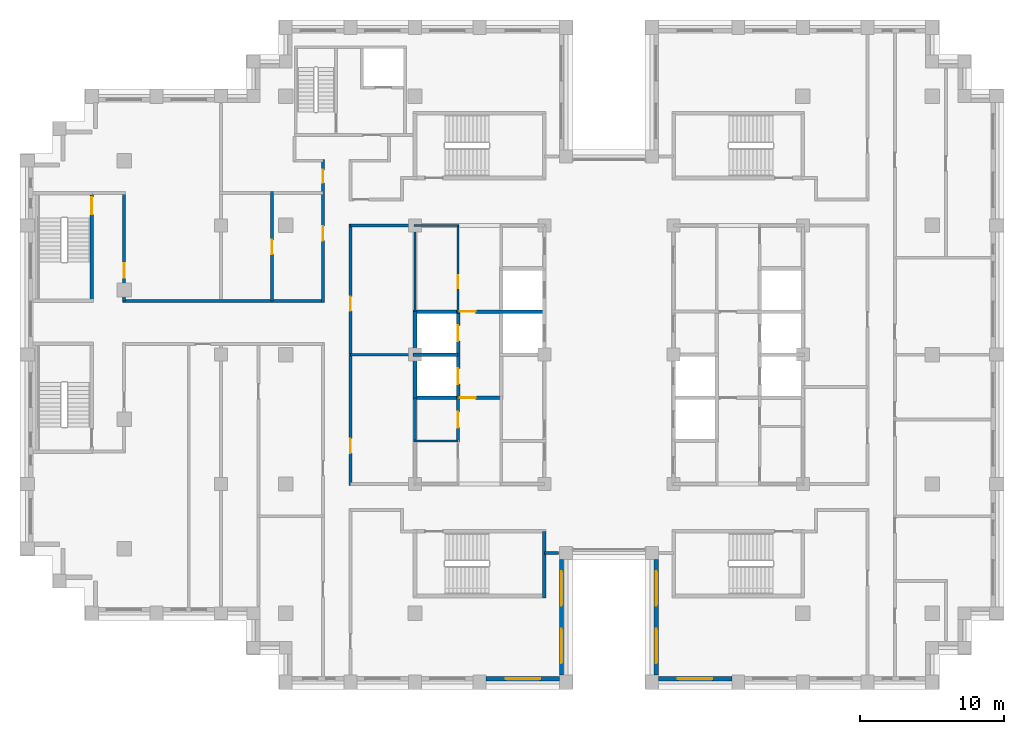
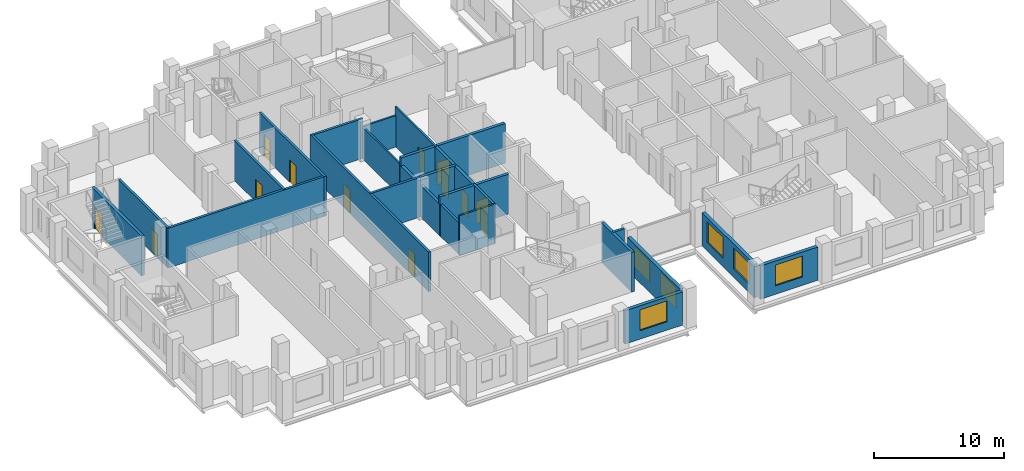
# One storey, part 7 of 15: 25 walls, 13 doors, 6 windows, 19 openings.
"""IFC4 building model written with IfcOpenShell, lengths in metres."""

import ifcopenshell
import ifcopenshell.guid

model = None  # the IFC model being written
_history = None  # IfcOwnerHistory: only IFC2X3 demands one
_inside = {}  # id of a spatial element -> (the spatial element, [elements in it])
_under = {}  # id of a project, library or spatial element -> (it, [spatial elements below it])
_declared = {}  # id of a project -> (the project, [libraries it declares])
_typed = {}  # id of a type object -> (the type object, [elements of that type])
_made_of = {}  # id of a material, layer set ... -> (it, [elements and type objects made of it])


def new_model(schema):
    """Start an empty IFC model of exactly this schema.

    Asked for "IFC4X3", IfcOpenShell would pick the latest addendum, in which some entities
    have other attributes; the version numbers below select the first issue.
    IFC2X3 requires an IfcOwnerHistory on every rooted entity: one is made here for all.
    """
    global model, _history
    if schema == "IFC4X3":
        model = ifcopenshell.file(schema_version=(4, 3, 0, 0))
    else:
        model = ifcopenshell.file(schema=schema)
    _inside.clear()
    _under.clear()
    _declared.clear()
    _typed.clear()
    _made_of.clear()
    _history = None
    if model.schema == "IFC2X3":
        org = make("IfcOrganization", Name="unknown")
        user = make(
            "IfcPersonAndOrganization",
            ThePerson=make("IfcPerson", FamilyName="unknown"),
            TheOrganization=org,
        )
        app = make(
            "IfcApplication",
            ApplicationDeveloper=org,
            Version="unknown",
            ApplicationFullName="unknown",
            ApplicationIdentifier="unknown",
        )
        _history = make(
            "IfcOwnerHistory",
            OwningUser=user,
            OwningApplication=app,
            ChangeAction="ADDED",
            CreationDate=0,
        )
    return model


def make(cls, **values):
    """One entity of the class cls with the attributes given. An attribute that is None is left unset."""
    return model.create_entity(
        cls, **{name: value for name, value in values.items() if value is not None}
    )


def rooted(cls, **values):
    """An entity with a GlobalId (a new one), such as an element, a storey or a relation."""
    return make(cls, GlobalId=ifcopenshell.guid.new(), OwnerHistory=_history, **values)


def si_unit(unit_type, name, prefix=None):
    """IfcSIUnit, for example si_unit("LENGTHUNIT", "METRE", prefix="MILLI")."""
    return make("IfcSIUnit", UnitType=unit_type, Prefix=prefix, Name=name)


def assignment(units):
    """IfcUnitAssignment: the units of a project."""
    return None if units is None else make("IfcUnitAssignment", Units=units)


def point(xyz):
    """IfcCartesianPoint."""
    return None if xyz is None else make("IfcCartesianPoint", Coordinates=xyz)


def direction(xyz):
    """IfcDirection."""
    return None if xyz is None else make("IfcDirection", DirectionRatios=xyz)


def frame(location, z_axis=None, x_axis=None):
    """IfcAxis2Placement3D, a coordinate frame: its origin and axes. An axis left out is left unset."""
    return make(
        "IfcAxis2Placement3D",
        Location=point(location),
        Axis=direction(z_axis),
        RefDirection=direction(x_axis),
    )


def frame_2d(location, x_axis=None):
    """IfcAxis2Placement2D, a coordinate frame in the plane: its origin and x axis."""
    return make(
        "IfcAxis2Placement2D", Location=point(location), RefDirection=direction(x_axis)
    )


def origin():
    """The frame at (0, 0, 0) with its axes left unset."""
    return frame((0.0, 0.0, 0.0))


def place(relative_to, where):
    """IfcLocalPlacement: puts the frame where relative to a parent placement (None: the world)."""
    return make(
        "IfcLocalPlacement", PlacementRelTo=relative_to, RelativePlacement=where
    )


def context(
    kind, dimensions, precision=None, world=None, true_north=None, identifier=None
):
    """IfcGeometricRepresentationContext, for example the 3D "Model" context."""
    return make(
        "IfcGeometricRepresentationContext",
        ContextIdentifier=identifier,
        ContextType=kind,
        CoordinateSpaceDimension=dimensions,
        Precision=precision,
        WorldCoordinateSystem=world,
        TrueNorth=true_north,
    )


def subcontext(parent, identifier, kind, view, scale=None):
    """IfcGeometricRepresentationSubContext, for example "Body" below "Model"."""
    return make(
        "IfcGeometricRepresentationSubContext",
        ContextIdentifier=identifier,
        ContextType=kind,
        ParentContext=parent,
        TargetScale=scale,
        TargetView=view,
    )


def project(units=None, contexts=None):
    """IfcProject with its units and contexts."""
    return rooted(
        "IfcProject",
        Name="project",
        RepresentationContexts=contexts,
        UnitsInContext=assignment(units),
    )


def spatial(cls, under=None, at=None, **own):
    """A site, building, storey or space (cls), placed at a placement, below another one or the project."""
    s = rooted(cls, ObjectPlacement=at, **own)
    if under is not None:
        _under.setdefault(under.id(), (under, []))[1].append(s)
    return s


def profile(cls, at=None, kind="AREA", **sizes):
    """A parametric profile (cls). Its sizes go by their IFC names, for example OverallWidth=200.0."""
    return make(cls, ProfileType=kind, Position=at, **sizes)


def rectangle(**sizes):
    """IfcRectangleProfileDef."""
    return profile("IfcRectangleProfileDef", **sizes)


def extrude(swept, where, along, depth):
    """IfcExtrudedAreaSolid: the profile swept, set in the frame where, extruded along a direction by depth."""
    return make(
        "IfcExtrudedAreaSolid",
        SweptArea=swept,
        Position=where,
        ExtrudedDirection=direction(along),
        Depth=depth,
    )


def shape(context_of_items, identifier, shape_type, items):
    """IfcShapeRepresentation: the items that make up one representation, for example the "Body"."""
    return make(
        "IfcShapeRepresentation",
        ContextOfItems=context_of_items,
        RepresentationIdentifier=identifier,
        RepresentationType=shape_type,
        Items=items,
    )


def material(Name=None, Category=None):
    """IfcMaterial."""
    return make("IfcMaterial", Name=Name, Category=Category)


def layer(
    of_material, thickness, ventilated=None, Name=None, Category=None, Priority=None
):
    """IfcMaterialLayer: one layer of a wall or slab, of a material (None: an air gap)."""
    return make(
        "IfcMaterialLayer",
        Material=of_material,
        LayerThickness=thickness,
        IsVentilated=ventilated,
        Name=Name,
        Category=Category,
        Priority=Priority,
    )


def layer_set(layers, Name=None):
    """IfcMaterialLayerSet."""
    return make("IfcMaterialLayerSet", MaterialLayers=layers, LayerSetName=Name)


def made_of(thing, what):
    """Note that an element or type object is made of a material, layer set ...; save() writes the relation."""
    if what is not None:
        _made_of.setdefault(what.id(), (what, []))[1].append(thing)
    return thing


def type_object(cls, material=None, **own):
    """A type object (cls), such as IfcWallType, which elements share."""
    return made_of(rooted(cls, **own), material)


def element(
    cls,
    number,
    at=None,
    inside=None,
    cuts=None,
    type_object=None,
    material=None,
    context=None,
    identifier="Body",
    shape_type=None,
    held_by="IfcProductDefinitionShape",
    body=None,
    shapes=None,
    **own,
):
    """One element of the class cls, such as IfcWall. Its Tag is "e" and its number.

    at: its placement. inside: the storey or other place that contains it. cuts: it is an
    opening in that element (IfcRelVoidsElement). A single representation is given by context,
    identifier, shape_type and body (its items); several are given by shapes. held_by: the class
    of the entity that holds the representations. save() writes the other relations.
    """
    e = rooted(cls, Tag="e%d" % number, ObjectPlacement=at, **own)
    if body is not None:
        shapes = [shape(context, identifier, shape_type, body)]
    if shapes is not None:
        e.Representation = make(held_by, Representations=shapes)
    if inside is not None:
        _inside.setdefault(inside.id(), (inside, []))[1].append(e)
    if cuts is not None:
        rooted(
            "IfcRelVoidsElement", RelatingBuildingElement=cuts, RelatedOpeningElement=e
        )
    if type_object is not None:
        _typed.setdefault(type_object.id(), (type_object, []))[1].append(e)
    return made_of(e, material)


def fill(opening, filler):
    """IfcRelFillsElement: the door or window that sits in an opening."""
    return rooted(
        "IfcRelFillsElement",
        RelatingOpeningElement=opening,
        RelatedBuildingElement=filler,
    )


def aggregate(whole, parts):
    """IfcRelAggregates: a whole, such as a stair, and the parts it consists of."""
    return rooted("IfcRelAggregates", RelatingObject=whole, RelatedObjects=parts)


def save(model, path):
    """Write the relations noted so far, then the file.

    IfcRelAggregates (storeys below a building ...), IfcRelContainedInSpatialStructure (elements
    in a storey), IfcRelDefinesByType, IfcRelAssociatesMaterial and IfcRelDeclares: one each for
    every whole, place, type object, material and project.
    """
    for whole, parts in _under.values():
        aggregate(whole, parts)
    for where, things in _inside.values():
        rooted(
            "IfcRelContainedInSpatialStructure",
            RelatedElements=things,
            RelatingStructure=where,
        )
    for kind, things in _typed.values():
        rooted("IfcRelDefinesByType", RelatedObjects=things, RelatingType=kind)
    for what, things in _made_of.values():
        rooted("IfcRelAssociatesMaterial", RelatedObjects=things, RelatingMaterial=what)
    for by, libraries in _declared.values():
        rooted("IfcRelDeclares", RelatingContext=by, RelatedDefinitions=libraries)
    model.write(path)


model = new_model("IFC4")

# Units and contexts
model_context = context("Model", 3, precision=1e-05, world=origin(), true_north=direction((0.0, 1.0)))
body_context = subcontext(model_context, "Body", "Model", "MODEL_VIEW")
ifc_project = project(units=[si_unit("LENGTHUNIT", "METRE"), si_unit("AREAUNIT", "SQUARE_METRE"), si_unit("VOLUMEUNIT", "CUBIC_METRE"), si_unit("PLANEANGLEUNIT", "RADIAN"), si_unit("MASSUNIT", "GRAM", prefix="KILO")], contexts=[model_context])

# Site, building, storey
site_placement = place(None, origin())
site = spatial("IfcSite", under=ifc_project, at=site_placement, CompositionType="ELEMENT")
building_placement = place(site_placement, origin())
building = spatial("IfcBuilding", under=site, at=building_placement, Name="Corbelhall Arena Tower", CompositionType="ELEMENT")
storey_placement = place(building_placement, frame((0.0, 0.0, 200.0)))
storey = spatial("IfcBuildingStorey", under=building, at=storey_placement, Name="L41", CompositionType="ELEMENT", Elevation=200.0)

# Wall, opening, window
ifc_material_1 = material(Name="Precast concrete C40/50 with granite facing", Category="masonry")
ifc_layer_1 = layer(ifc_material_1, 0.300048828125)
ifc_layer_set_1 = layer_set([ifc_layer_1], Name="EV-IW1 Infill panel 300")
wall_type_1 = type_object("IfcWallType", Name="EV-IW1 Infill panel 300", PredefinedType="SOLIDWALL", material=ifc_layer_set_1)
wall_1_placement = place(storey_placement, frame((-8.550048828125, -22.550048828125, 0.0), z_axis=(0.0, 0.0, 1.0), x_axis=(1.0, 0.0, 0.0)))
wall_1 = element("IfcWall", 1, at=wall_1_placement, inside=storey, type_object=wall_type_1, Name="Infill panel IW1", PredefinedType="SOLIDWALL", context=body_context, shape_type="SweptSolid", body=[
    extrude(rectangle(XDim=5.10009765625, YDim=0.300048828125, at=frame_2d((2.550048828125, 0.0))), origin(), (0.0, 0.0, 1.0), 3.1201171875),
])
opening_1_placement = place(wall_1_placement, frame((1.35009765625, 0.0, 0.800048828125)))
opening_1 = element("IfcOpeningElement", 2, at=opening_1_placement, cuts=wall_1, Name="Opening WN1", PredefinedType="OPENING", context=body_context, shape_type="SweptSolid", body=[
    extrude(rectangle(XDim=2.39990234375, YDim=1.949951171875, at=frame_2d((1.199951171875, 0.97509765625))), frame((0.0, 0.14990234375, 0.0), z_axis=(0.0, -1.0, 0.0), x_axis=(1.0, 0.0, 0.0)), (0.0, 0.0, 1.0), 0.300048828125),
])
ifc_material_2 = material(Name="Aluminium black anodised", Category="aluminium")
window_type = type_object("IfcWindowType", Name="EV-WN1 Office window", PartitioningType="SINGLE_PANEL", PredefinedType="WINDOW", material=ifc_material_2)
window_1_placement = place(opening_1_placement, origin())
window_1 = element("IfcWindow", 3, at=window_1_placement, inside=storey, type_object=window_type, Name="Window WN1", OverallHeight=1.949951171875, OverallWidth=2.39990234375, PartitioningType="SINGLE_PANEL", PredefinedType="WINDOW", context=body_context, shape_type="SweptSolid", body=[
    extrude(rectangle(XDim=2.39990234375, YDim=1.949951171875, at=frame_2d((1.199951171875, 0.97509765625))), frame((0.0, 0.030029296875, 0.0), z_axis=(0.0, -1.0, 0.0), x_axis=(1.0, 0.0, 0.0)), (0.0, 0.0, 1.0), 0.06005859375),
])
fill(opening_1, window_1)

# Wall, openings, windows
wall_2_placement = place(storey_placement, frame((-3.300048828125, -22.300048828125, 0.0), z_axis=(0.0, 0.0, 1.0), x_axis=(0.0, 1.0, 0.0)))
wall_2 = element("IfcWall", 4, at=wall_2_placement, inside=storey, type_object=wall_type_1, Name="Infill panel IW1", PredefinedType="SOLIDWALL", context=body_context, shape_type="SweptSolid", body=[
    extrude(rectangle(XDim=8.050048828125, YDim=0.300048828125, at=frame_2d((4.02490234375, 0.0))), origin(), (0.0, 0.0, 1.0), 3.1201171875),
])
opening_2_placement = place(wall_2_placement, frame((0.8125, 0.0, 0.800048828125)))
opening_2 = element("IfcOpeningElement", 5, at=opening_2_placement, cuts=wall_2, Name="Opening WN1", PredefinedType="OPENING", context=body_context, shape_type="SweptSolid", body=[
    extrude(rectangle(XDim=2.39990234375, YDim=1.949951171875, at=frame_2d((1.199951171875, 0.97509765625))), frame((0.0, 0.14990234375, 0.0), z_axis=(0.0, -1.0, 0.0), x_axis=(1.0, 0.0, 0.0)), (0.0, 0.0, 1.0), 0.300048828125),
])
opening_3_placement = place(wall_2_placement, frame((4.83740234375, 0.0, 0.800048828125)))
opening_3 = element("IfcOpeningElement", 6, at=opening_3_placement, cuts=wall_2, Name="Opening WN1", PredefinedType="OPENING", context=body_context, shape_type="SweptSolid", body=[
    extrude(rectangle(XDim=2.39990234375, YDim=1.949951171875, at=frame_2d((1.199951171875, 0.97509765625))), frame((0.0, 0.14990234375, 0.0), z_axis=(0.0, -1.0, 0.0), x_axis=(1.0, 0.0, 0.0)), (0.0, 0.0, 1.0), 0.300048828125),
])
window_2_placement = place(opening_2_placement, origin())
window_2 = element("IfcWindow", 7, at=window_2_placement, inside=storey, type_object=window_type, Name="Window WN1", OverallHeight=1.949951171875, OverallWidth=2.39990234375, PartitioningType="SINGLE_PANEL", PredefinedType="WINDOW", context=body_context, shape_type="SweptSolid", body=[
    extrude(rectangle(XDim=2.39990234375, YDim=1.949951171875, at=frame_2d((1.199951171875, 0.97509765625))), frame((0.0, 0.030029296875, 0.0), z_axis=(0.0, -1.0, 0.0), x_axis=(1.0, 0.0, 0.0)), (0.0, 0.0, 1.0), 0.06005859375),
])
fill(opening_2, window_2)
window_3_placement = place(opening_3_placement, origin())
window_3 = element("IfcWindow", 8, at=window_3_placement, inside=storey, type_object=window_type, Name="Window WN1", OverallHeight=1.949951171875, OverallWidth=2.39990234375, PartitioningType="SINGLE_PANEL", PredefinedType="WINDOW", context=body_context, shape_type="SweptSolid", body=[
    extrude(rectangle(XDim=2.39990234375, YDim=1.949951171875, at=frame_2d((1.199951171875, 0.97509765625))), frame((0.0, 0.030029296875, 0.0), z_axis=(0.0, -1.0, 0.0), x_axis=(1.0, 0.0, 0.0)), (0.0, 0.0, 1.0), 0.06005859375),
])
fill(opening_3, window_3)

wall_3_placement = place(storey_placement, frame((3.300048828125, -14.25, 0.0), z_axis=(0.0, 0.0, 1.0), x_axis=(0.0, -1.0, 0.0)))
wall_3 = element("IfcWall", 9, at=wall_3_placement, inside=storey, type_object=wall_type_1, Name="Infill panel IW1", PredefinedType="SOLIDWALL", context=body_context, shape_type="SweptSolid", body=[
    extrude(rectangle(XDim=8.050048828125, YDim=0.300048828125, at=frame_2d((4.02490234375, 0.0))), origin(), (0.0, 0.0, 1.0), 3.1201171875),
])
opening_4_placement = place(wall_3_placement, frame((0.8125, 0.0, 0.800048828125)))
opening_4 = element("IfcOpeningElement", 10, at=opening_4_placement, cuts=wall_3, Name="Opening WN1", PredefinedType="OPENING", context=body_context, shape_type="SweptSolid", body=[
    extrude(rectangle(XDim=2.39990234375, YDim=1.949951171875, at=frame_2d((1.199951171875, 0.97509765625))), frame((0.0, 0.14990234375, 0.0), z_axis=(0.0, -1.0, 0.0), x_axis=(1.0, 0.0, 0.0)), (0.0, 0.0, 1.0), 0.300048828125),
])
opening_5_placement = place(wall_3_placement, frame((4.83740234375, 0.0, 0.800048828125)))
opening_5 = element("IfcOpeningElement", 11, at=opening_5_placement, cuts=wall_3, Name="Opening WN1", PredefinedType="OPENING", context=body_context, shape_type="SweptSolid", body=[
    extrude(rectangle(XDim=2.39990234375, YDim=1.949951171875, at=frame_2d((1.199951171875, 0.97509765625))), frame((0.0, 0.14990234375, 0.0), z_axis=(0.0, -1.0, 0.0), x_axis=(1.0, 0.0, 0.0)), (0.0, 0.0, 1.0), 0.300048828125),
])
window_4_placement = place(opening_4_placement, origin())
window_4 = element("IfcWindow", 12, at=window_4_placement, inside=storey, type_object=window_type, Name="Window WN1", OverallHeight=1.949951171875, OverallWidth=2.39990234375, PartitioningType="SINGLE_PANEL", PredefinedType="WINDOW", context=body_context, shape_type="SweptSolid", body=[
    extrude(rectangle(XDim=2.39990234375, YDim=1.949951171875, at=frame_2d((1.199951171875, 0.97509765625))), frame((0.0, 0.030029296875, 0.0), z_axis=(0.0, -1.0, 0.0), x_axis=(1.0, 0.0, 0.0)), (0.0, 0.0, 1.0), 0.06005859375),
])
fill(opening_4, window_4)
window_5_placement = place(opening_5_placement, origin())
window_5 = element("IfcWindow", 13, at=window_5_placement, inside=storey, type_object=window_type, Name="Window WN1", OverallHeight=1.949951171875, OverallWidth=2.39990234375, PartitioningType="SINGLE_PANEL", PredefinedType="WINDOW", context=body_context, shape_type="SweptSolid", body=[
    extrude(rectangle(XDim=2.39990234375, YDim=1.949951171875, at=frame_2d((1.199951171875, 0.97509765625))), frame((0.0, 0.030029296875, 0.0), z_axis=(0.0, -1.0, 0.0), x_axis=(1.0, 0.0, 0.0)), (0.0, 0.0, 1.0), 0.06005859375),
])
fill(opening_5, window_5)

# Wall, opening, window
wall_4_placement = place(storey_placement, frame((3.449951171875, -22.550048828125, 0.0), z_axis=(0.0, 0.0, 1.0), x_axis=(1.0, 0.0, 0.0)))
wall_4 = element("IfcWall", 14, at=wall_4_placement, inside=storey, type_object=wall_type_1, Name="Infill panel IW1", PredefinedType="SOLIDWALL", context=body_context, shape_type="SweptSolid", body=[
    extrude(rectangle(XDim=5.10009765625, YDim=0.300048828125, at=frame_2d((2.550048828125, 0.0))), origin(), (0.0, 0.0, 1.0), 3.1201171875),
])
opening_6_placement = place(wall_4_placement, frame((1.35009765625, 0.0, 0.800048828125)))
opening_6 = element("IfcOpeningElement", 15, at=opening_6_placement, cuts=wall_4, Name="Opening WN1", PredefinedType="OPENING", context=body_context, shape_type="SweptSolid", body=[
    extrude(rectangle(XDim=2.39990234375, YDim=1.949951171875, at=frame_2d((1.199951171875, 0.97509765625))), frame((0.0, 0.14990234375, 0.0), z_axis=(0.0, -1.0, 0.0), x_axis=(1.0, 0.0, 0.0)), (0.0, 0.0, 1.0), 0.300048828125),
])
window_6_placement = place(opening_6_placement, origin())
window_6 = element("IfcWindow", 16, at=window_6_placement, inside=storey, type_object=window_type, Name="Window WN1", OverallHeight=1.949951171875, OverallWidth=2.39990234375, PartitioningType="SINGLE_PANEL", PredefinedType="WINDOW", context=body_context, shape_type="SweptSolid", body=[
    extrude(rectangle(XDim=2.39990234375, YDim=1.949951171875, at=frame_2d((1.199951171875, 0.97509765625))), frame((0.0, 0.030029296875, 0.0), z_axis=(0.0, -1.0, 0.0), x_axis=(1.0, 0.0, 0.0)), (0.0, 0.0, 1.0), 0.06005859375),
])
fill(opening_6, window_6)

# Wall
ifc_material_3 = material(Name="Gypsum board on steel stud, acoustic", Category="steel")
ifc_layer_2 = layer(ifc_material_3, 0.199951171875)
ifc_layer_set_2 = layer_set([ifc_layer_2], Name="IN-W-DM200")
wall_type_2 = type_object("IfcWallType", Name="IN-W-DM200", PredefinedType="PARTITIONING", material=ifc_layer_set_2)
wall_5_placement = place(storey_placement, frame((-33.85009765625, 3.75, 0.0), z_axis=(0.0, 0.0, 1.0), x_axis=(1.0, 0.0, 0.0)))
element("IfcWall", 17, at=wall_5_placement, inside=storey, type_object=wall_type_2, Name="Partition 002", PredefinedType="PARTITIONING", context=body_context, shape_type="SweptSolid", body=[
    extrude(rectangle(XDim=13.9501953125, YDim=0.199951171875, at=frame_2d((6.97509765625, 0.0))), origin(), (0.0, 0.0, 1.0), 3.719970703125),
])

# Wall, opening, door
wall_6_placement = place(storey_placement, frame((-33.75, 11.25, 0.0), z_axis=(0.0, 0.0, 1.0), x_axis=(0.0, -1.0, 0.0)))
wall_6 = element("IfcWall", 18, at=wall_6_placement, inside=storey, type_object=wall_type_2, Name="Partition 005", PredefinedType="PARTITIONING", context=body_context, shape_type="SweptSolid", body=[
    extrude(rectangle(XDim=7.5, YDim=0.199951171875, at=frame_2d((3.75, 0.0))), origin(), (0.0, 0.0, 1.0), 3.719970703125),
])
opening_7_placement = place(wall_6_placement, frame((4.89990234375, 0.0, 0.0)))
opening_7 = element("IfcOpeningElement", 19, at=opening_7_placement, cuts=wall_6, Name="Opening 12043", PredefinedType="OPENING", context=body_context, shape_type="SweptSolid", body=[
    extrude(rectangle(XDim=1.0, YDim=2.10009765625, at=frame_2d((0.5, 1.050048828125))), frame((0.0, 0.10009765625, 0.0), z_axis=(0.0, -1.0, 0.0), x_axis=(1.0, 0.0, 0.0)), (0.0, 0.0, 1.0), 0.199951171875),
])
ifc_material_4 = material(Name="Steel door set", Category="steel")
door_type_1 = type_object("IfcDoorType", Name="IN-D-SW100", OperationType="NOTDEFINED", PredefinedType="DOOR", material=ifc_material_4)
door_1_placement = place(opening_7_placement, origin())
door_1 = element("IfcDoor", 20, at=door_1_placement, inside=storey, type_object=door_type_1, Name="Door 043", OperationType="SINGLE_SWING_RIGHT", OverallHeight=2.10009765625, OverallWidth=1.0, PredefinedType="DOOR", context=body_context, shape_type="SweptSolid", body=[
    extrude(rectangle(XDim=1.0, YDim=2.10009765625, at=frame_2d((0.5, 1.050048828125))), frame((0.0, 0.02490234375, 0.0), z_axis=(0.0, -1.0, 0.0), x_axis=(1.0, 0.0, 0.0)), (0.0, 0.0, 1.0), 0.050048828125),
])
fill(opening_7, door_1)

wall_7_placement = place(storey_placement, frame((-23.449951171875, 3.75, 0.0), z_axis=(0.0, 0.0, 1.0), x_axis=(0.0, 1.0, 0.0)))
wall_7 = element("IfcWall", 21, at=wall_7_placement, inside=storey, type_object=wall_type_2, Name="Partition 013", PredefinedType="PARTITIONING", context=body_context, shape_type="SweptSolid", body=[
    extrude(rectangle(XDim=7.60009765625, YDim=0.199951171875, at=frame_2d((3.800048828125, 0.0))), origin(), (0.0, 0.0, 1.0), 3.719970703125),
])
opening_8_placement = place(wall_7_placement, frame((3.25, 0.0, 0.0)))
opening_8 = element("IfcOpeningElement", 22, at=opening_8_placement, cuts=wall_7, Name="Opening 12032", PredefinedType="OPENING", context=body_context, shape_type="SweptSolid", body=[
    extrude(rectangle(XDim=1.0, YDim=2.10009765625, at=frame_2d((0.5, 1.050048828125))), frame((0.0, 0.10009765625, 0.0), z_axis=(0.0, -1.0, 0.0), x_axis=(1.0, 0.0, 0.0)), (0.0, 0.0, 1.0), 0.199951171875),
])
door_2_placement = place(opening_8_placement, origin())
door_2 = element("IfcDoor", 23, at=door_2_placement, inside=storey, type_object=door_type_1, Name="Door 032", OperationType="SINGLE_SWING_LEFT", OverallHeight=2.10009765625, OverallWidth=1.0, PredefinedType="DOOR", context=body_context, shape_type="SweptSolid", body=[
    extrude(rectangle(XDim=1.0, YDim=2.10009765625, at=frame_2d((0.5, 1.050048828125))), frame((0.0, 0.02490234375, 0.0), z_axis=(0.0, -1.0, 0.0), x_axis=(1.0, 0.0, 0.0)), (0.0, 0.0, 1.0), 0.050048828125),
])
fill(opening_8, door_2)

# Wall, openings, doors
wall_8_placement = place(storey_placement, frame((-19.89990234375, 3.64990234375, 0.0), z_axis=(0.0, 0.0, 1.0), x_axis=(0.0, 1.0, 0.0)))
wall_8 = element("IfcWall", 24, at=wall_8_placement, inside=storey, type_object=wall_type_2, Name="Partition 016", PredefinedType="PARTITIONING", context=body_context, shape_type="SweptSolid", body=[
    extrude(rectangle(XDim=9.9501953125, YDim=0.199951171875, at=frame_2d((4.97509765625, 0.0))), origin(), (0.0, 0.0, 1.0), 3.719970703125),
])
opening_9_placement = place(wall_8_placement, frame((4.300048828125, 0.0, 0.0)))
opening_9 = element("IfcOpeningElement", 25, at=opening_9_placement, cuts=wall_8, Name="Opening 12031", PredefinedType="OPENING", context=body_context, shape_type="SweptSolid", body=[
    extrude(rectangle(XDim=1.0, YDim=2.10009765625, at=frame_2d((0.5, 1.050048828125))), frame((0.0, 0.10009765625, 0.0), z_axis=(0.0, -1.0, 0.0), x_axis=(1.0, 0.0, 0.0)), (0.0, 0.0, 1.0), 0.199951171875),
])
opening_10_placement = place(wall_8_placement, frame((8.320068359375, 0.0, 0.0)))
opening_10 = element("IfcOpeningElement", 26, at=opening_10_placement, cuts=wall_8, Name="Opening 12046", PredefinedType="OPENING", context=body_context, shape_type="SweptSolid", body=[
    extrude(rectangle(XDim=0.89990234375, YDim=2.10009765625, at=frame_2d((0.449951171875, 1.050048828125))), frame((0.0, 0.10009765625, 0.0), z_axis=(0.0, -1.0, 0.0), x_axis=(1.0, 0.0, 0.0)), (0.0, 0.0, 1.0), 0.199951171875),
])
door_3_placement = place(opening_9_placement, origin())
door_3 = element("IfcDoor", 27, at=door_3_placement, inside=storey, type_object=door_type_1, Name="Door 031", OperationType="SINGLE_SWING_RIGHT", OverallHeight=2.10009765625, OverallWidth=1.0, PredefinedType="DOOR", context=body_context, shape_type="SweptSolid", body=[
    extrude(rectangle(XDim=1.0, YDim=2.10009765625, at=frame_2d((0.5, 1.050048828125))), frame((0.0, 0.02490234375, 0.0), z_axis=(0.0, -1.0, 0.0), x_axis=(1.0, 0.0, 0.0)), (0.0, 0.0, 1.0), 0.050048828125),
])
fill(opening_9, door_3)
ifc_material_5 = material(Name="Timber door set", Category="wood")
door_type_2 = type_object("IfcDoorType", Name="IN-D-SW90", OperationType="NOTDEFINED", PredefinedType="DOOR", material=ifc_material_5)
door_4_placement = place(opening_10_placement, origin())
door_4 = element("IfcDoor", 28, at=door_4_placement, inside=storey, type_object=door_type_2, Name="Door 046", OperationType="SINGLE_SWING_LEFT", OverallHeight=2.10009765625, OverallWidth=0.89990234375, PredefinedType="DOOR", context=body_context, shape_type="SweptSolid", body=[
    extrude(rectangle(XDim=0.89990234375, YDim=2.10009765625, at=frame_2d((0.449951171875, 1.050048828125))), frame((0.0, 0.02490234375, 0.0), z_axis=(0.0, -1.0, 0.0), x_axis=(1.0, 0.0, 0.0)), (0.0, 0.0, 1.0), 0.050048828125),
])
fill(opening_10, door_4)

# Wall
wall_9_placement = place(storey_placement, frame((-18.0, 0.0, 0.0), z_axis=(0.0, 0.0, 1.0), x_axis=(1.0, 0.0, 0.0)))
element("IfcWall", 29, at=wall_9_placement, inside=storey, type_object=wall_type_2, Name="Partition 020", PredefinedType="PARTITIONING", context=body_context, shape_type="SweptSolid", body=[
    extrude(rectangle(XDim=4.5, YDim=0.199951171875, at=frame_2d((2.25, 0.0))), origin(), (0.0, 0.0, 1.0), 3.719970703125),
])

# Wall, openings, doors
wall_10_placement = place(storey_placement, frame((-18.0, 9.10009765625, 0.0), z_axis=(0.0, 0.0, 1.0), x_axis=(0.0, -1.0, 0.0)))
wall_10 = element("IfcWall", 30, at=wall_10_placement, inside=storey, type_object=wall_type_2, Name="Partition 021", PredefinedType="PARTITIONING", context=body_context, shape_type="SweptSolid", body=[
    extrude(rectangle(XDim=18.2001953125, YDim=0.199951171875, at=frame_2d((9.10009765625, 0.0))), origin(), (0.0, 0.0, 1.0), 3.719970703125),
])
opening_11_placement = place(wall_10_placement, frame((14.949951171875, 0.0, 0.0)))
opening_11 = element("IfcOpeningElement", 31, at=opening_11_placement, cuts=wall_10, Name="Opening 12023", PredefinedType="OPENING", context=body_context, shape_type="SweptSolid", body=[
    extrude(rectangle(XDim=1.0, YDim=2.10009765625, at=frame_2d((0.5, 1.050048828125))), frame((0.0, 0.10009765625, 0.0), z_axis=(0.0, -1.0, 0.0), x_axis=(1.0, 0.0, 0.0)), (0.0, 0.0, 1.0), 0.199951171875),
])
opening_12_placement = place(wall_10_placement, frame((5.050048828125, 0.0, 0.0)))
opening_12 = element("IfcOpeningElement", 32, at=opening_12_placement, cuts=wall_10, Name="Opening 12024", PredefinedType="OPENING", context=body_context, shape_type="SweptSolid", body=[
    extrude(rectangle(XDim=1.0, YDim=2.10009765625, at=frame_2d((0.5, 1.050048828125))), frame((0.0, 0.10009765625, 0.0), z_axis=(0.0, -1.0, 0.0), x_axis=(1.0, 0.0, 0.0)), (0.0, 0.0, 1.0), 0.199951171875),
])
door_5_placement = place(opening_11_placement, origin())
door_5 = element("IfcDoor", 33, at=door_5_placement, inside=storey, type_object=door_type_1, Name="Door 023", OperationType="SINGLE_SWING_RIGHT", OverallHeight=2.10009765625, OverallWidth=1.0, PredefinedType="DOOR", context=body_context, shape_type="SweptSolid", body=[
    extrude(rectangle(XDim=1.0, YDim=2.10009765625, at=frame_2d((0.5, 1.050048828125))), frame((0.0, 0.02490234375, 0.0), z_axis=(0.0, -1.0, 0.0), x_axis=(1.0, 0.0, 0.0)), (0.0, 0.0, 1.0), 0.050048828125),
])
fill(opening_11, door_5)
door_6_placement = place(opening_12_placement, origin())
door_6 = element("IfcDoor", 34, at=door_6_placement, inside=storey, type_object=door_type_1, Name="Door 024", OperationType="SINGLE_SWING_LEFT", OverallHeight=2.10009765625, OverallWidth=1.0, PredefinedType="DOOR", context=body_context, shape_type="SweptSolid", body=[
    extrude(rectangle(XDim=1.0, YDim=2.10009765625, at=frame_2d((0.5, 1.050048828125))), frame((0.0, 0.02490234375, 0.0), z_axis=(0.0, -1.0, 0.0), x_axis=(1.0, 0.0, 0.0)), (0.0, 0.0, 1.0), 0.050048828125),
])
fill(opening_12, door_6)

# Walls
wall_11_placement = place(storey_placement, frame((-13.5, 9.0, 0.0), z_axis=(0.0, 0.0, 1.0), x_axis=(-1.0, 0.0, 0.0)))
element("IfcWall", 35, at=wall_11_placement, inside=storey, type_object=wall_type_2, Name="Partition 029", PredefinedType="PARTITIONING", context=body_context, shape_type="SweptSolid", body=[
    extrude(rectangle(XDim=4.5, YDim=0.199951171875, at=frame_2d((2.25, 0.0))), origin(), (0.0, 0.0, 1.0), 3.719970703125),
])
wall_12_placement = place(storey_placement, frame((-3.5, -13.800048828125, 0.0), z_axis=(0.0, 0.0, 1.0), x_axis=(-1.0, 0.0, 0.0)))
element("IfcWall", 36, at=wall_12_placement, inside=storey, type_object=wall_type_2, Name="Partition 033", PredefinedType="PARTITIONING", context=body_context, shape_type="SweptSolid", body=[
    extrude(rectangle(XDim=1.0, YDim=0.199951171875, at=frame_2d((0.5, 0.0))), origin(), (0.0, 0.0, 1.0), 3.719970703125),
])

# Wall, opening, door
ifc_material_6 = material(Name="Concrete block wall", Category="concrete")
ifc_layer_3 = layer(ifc_material_6, 0.199951171875)
ifc_layer_set_3 = layer_set([ifc_layer_3], Name="IN-W-RS200")
wall_type_3 = type_object("IfcWallType", Name="IN-W-RS200", PredefinedType="SOLIDWALL", material=ifc_layer_set_3)
wall_13_placement = place(storey_placement, frame((-10.5, -6.074951171875, 0.0), z_axis=(0.0, 0.0, 1.0), x_axis=(0.0, 1.0, 0.0)))
wall_13 = element("IfcWall", 37, at=wall_13_placement, inside=storey, type_object=wall_type_3, Name="Partition 057", PredefinedType="SOLIDWALL", context=body_context, shape_type="SweptSolid", body=[
    extrude(rectangle(XDim=3.199951171875, YDim=0.199951171875, at=frame_2d((1.60009765625, 0.0))), origin(), (0.0, 0.0, 1.0), 3.719970703125),
])
opening_13_placement = place(wall_13_placement, frame((1.0, 0.0, 0.0)))
opening_13 = element("IfcOpeningElement", 38, at=opening_13_placement, cuts=wall_13, Name="Opening 12007", PredefinedType="OPENING", context=body_context, shape_type="SweptSolid", body=[
    extrude(rectangle(XDim=1.10009765625, YDim=2.10009765625, at=frame_2d((0.550048828125, 1.050048828125))), frame((0.0, 0.10009765625, 0.0), z_axis=(0.0, -1.0, 0.0), x_axis=(1.0, 0.0, 0.0)), (0.0, 0.0, 1.0), 0.199951171875),
])
door_type_3 = type_object("IfcDoorType", Name="IN-D-FD110", OperationType="NOTDEFINED", PredefinedType="DOOR", material=ifc_material_4)
door_7_placement = place(opening_13_placement, origin())
door_7 = element("IfcDoor", 39, at=door_7_placement, inside=storey, type_object=door_type_3, Name="Door 007", OperationType="SINGLE_SWING_RIGHT", OverallHeight=2.10009765625, OverallWidth=1.10009765625, PredefinedType="DOOR", context=body_context, shape_type="SweptSolid", body=[
    extrude(rectangle(XDim=1.10009765625, YDim=2.10009765625, at=frame_2d((0.550048828125, 1.050048828125))), frame((0.0, 0.02490234375, 0.0), z_axis=(0.0, -1.0, 0.0), x_axis=(1.0, 0.0, 0.0)), (0.0, 0.0, 1.0), 0.050048828125),
])
fill(opening_13, door_7)

# Walls
ifc_layer_4 = layer(ifc_material_6, 0.199951171875)
ifc_layer_set_4 = layer_set([ifc_layer_4], Name="IN-W-RS200 under beam 762 mm")
wall_type_4 = type_object("IfcWallType", Name="IN-W-RS200 under beam 762 mm", PredefinedType="SOLIDWALL", material=ifc_layer_set_4)
wall_14_placement = place(storey_placement, frame((-13.5, -6.0, 0.0), z_axis=(0.0, 0.0, 1.0), x_axis=(0.0, 1.0, 0.0)))
element("IfcWall", 40, at=wall_14_placement, inside=storey, type_object=wall_type_4, Name="Partition 056", PredefinedType="SOLIDWALL", context=body_context, shape_type="SweptSolid", body=[
    extrude(rectangle(XDim=3.0, YDim=0.199951171875, at=frame_2d((1.5, 0.0))), origin(), (0.0, 0.0, 1.0), 2.9580078125),
])
ifc_material_7 = material(Name="Concrete C40/50", Category="concrete")
ifc_layer_5 = layer(ifc_material_7, 0.25)
ifc_layer_set_5 = layer_set([ifc_layer_5], Name="IN-W-SH250")
wall_type_5 = type_object("IfcWallType", Name="IN-W-SH250", PredefinedType="SOLIDWALL", material=ifc_layer_set_5)
wall_15_placement = place(storey_placement, frame((-13.625, 0.0, 0.0), z_axis=(0.0, 0.0, 1.0), x_axis=(1.0, 0.0, 0.0)))
element("IfcWall", 41, at=wall_15_placement, inside=storey, type_object=wall_type_5, Name="Shaft wall 077", PredefinedType="SOLIDWALL", context=body_context, shape_type="SweptSolid", body=[
    extrude(rectangle(XDim=3.125, YDim=0.25, at=frame_2d((1.5625, 0.0))), origin(), (0.0, 0.0, 1.0), 3.719970703125),
])

# Wall, opening, door
wall_16_placement = place(storey_placement, frame((-13.625, 3.0, 0.0), z_axis=(0.0, 0.0, 1.0), x_axis=(1.0, 0.0, 0.0)))
wall_16 = element("IfcWall", 42, at=wall_16_placement, inside=storey, type_object=wall_type_5, Name="Shaft wall 078", PredefinedType="SOLIDWALL", context=body_context, shape_type="SweptSolid", body=[
    extrude(rectangle(XDim=9.25, YDim=0.25, at=frame_2d((4.625, 0.0))), origin(), (0.0, 0.0, 1.0), 3.719970703125),
])
opening_14_placement = place(wall_16_placement, frame((3.25, 0.0, 0.0)))
opening_14 = element("IfcOpeningElement", 43, at=opening_14_placement, cuts=wall_16, Name="Opening 12005", PredefinedType="OPENING", context=body_context, shape_type="SweptSolid", body=[
    extrude(rectangle(XDim=1.10009765625, YDim=2.10009765625, at=frame_2d((0.550048828125, 1.050048828125))), frame((0.0, 0.125, 0.0), z_axis=(0.0, -1.0, 0.0), x_axis=(1.0, 0.0, 0.0)), (0.0, 0.0, 1.0), 0.25),
])
door_8_placement = place(opening_14_placement, origin())
door_8 = element("IfcDoor", 44, at=door_8_placement, inside=storey, type_object=door_type_3, Name="Door 005", OperationType="SINGLE_SWING_RIGHT", OverallHeight=2.10009765625, OverallWidth=1.10009765625, PredefinedType="DOOR", context=body_context, shape_type="SweptSolid", body=[
    extrude(rectangle(XDim=1.10009765625, YDim=2.10009765625, at=frame_2d((0.550048828125, 1.050048828125))), frame((0.0, 0.02490234375, 0.0), z_axis=(0.0, -1.0, 0.0), x_axis=(1.0, 0.0, 0.0)), (0.0, 0.0, 1.0), 0.050048828125),
])
fill(opening_14, door_8)

wall_17_placement = place(storey_placement, frame((-13.625, -3.0, 0.0), z_axis=(0.0, 0.0, 1.0), x_axis=(1.0, 0.0, 0.0)))
wall_17 = element("IfcWall", 45, at=wall_17_placement, inside=storey, type_object=wall_type_5, Name="Shaft wall 080", PredefinedType="SOLIDWALL", context=body_context, shape_type="SweptSolid", body=[
    extrude(rectangle(XDim=6.125, YDim=0.25, at=frame_2d((3.0625, 0.0))), origin(), (0.0, 0.0, 1.0), 3.719970703125),
])
opening_15_placement = place(wall_17_placement, frame((3.25, 0.0, 0.0)))
opening_15 = element("IfcOpeningElement", 46, at=opening_15_placement, cuts=wall_17, Name="Opening 12004", PredefinedType="OPENING", context=body_context, shape_type="SweptSolid", body=[
    extrude(rectangle(XDim=1.10009765625, YDim=2.10009765625, at=frame_2d((0.550048828125, 1.050048828125))), frame((0.0, 0.125, 0.0), z_axis=(0.0, -1.0, 0.0), x_axis=(1.0, 0.0, 0.0)), (0.0, 0.0, 1.0), 0.25),
])
door_9_placement = place(opening_15_placement, origin())
door_9 = element("IfcDoor", 47, at=door_9_placement, inside=storey, type_object=door_type_3, Name="Door 004", OperationType="SINGLE_SWING_LEFT", OverallHeight=2.10009765625, OverallWidth=1.10009765625, PredefinedType="DOOR", context=body_context, shape_type="SweptSolid", body=[
    extrude(rectangle(XDim=1.10009765625, YDim=2.10009765625, at=frame_2d((0.550048828125, 1.050048828125))), frame((0.0, 0.02490234375, 0.0), z_axis=(0.0, -1.0, 0.0), x_axis=(1.0, 0.0, 0.0)), (0.0, 0.0, 1.0), 0.050048828125),
])
fill(opening_15, door_9)

# Wall, openings, doors
wall_18_placement = place(storey_placement, frame((-10.5, -3.125, 0.0), z_axis=(0.0, 0.0, 1.0), x_axis=(0.0, 1.0, 0.0)))
wall_18 = element("IfcWall", 48, at=wall_18_placement, inside=storey, type_object=wall_type_5, Name="Shaft wall 081", PredefinedType="SOLIDWALL", context=body_context, shape_type="SweptSolid", body=[
    extrude(rectangle(XDim=6.25, YDim=0.25, at=frame_2d((3.125, 0.0))), origin(), (0.0, 0.0, 1.0), 3.719970703125),
])
opening_16_placement = place(wall_18_placement, frame((1.074951171875, 0.0, 0.0)))
opening_16 = element("IfcOpeningElement", 49, at=opening_16_placement, cuts=wall_18, Name="Opening LD", PredefinedType="OPENING", context=body_context, shape_type="SweptSolid", body=[
    extrude(rectangle(XDim=1.10009765625, YDim=2.10009765625, at=frame_2d((0.550048828125, 1.050048828125))), frame((0.0, 0.125, 0.0), z_axis=(0.0, -1.0, 0.0), x_axis=(1.0, 0.0, 0.0)), (0.0, 0.0, 1.0), 0.25),
])
opening_17_placement = place(wall_18_placement, frame((4.074951171875, 0.0, 0.0)))
opening_17 = element("IfcOpeningElement", 50, at=opening_17_placement, cuts=wall_18, Name="Opening LD", PredefinedType="OPENING", context=body_context, shape_type="SweptSolid", body=[
    extrude(rectangle(XDim=1.10009765625, YDim=2.10009765625, at=frame_2d((0.550048828125, 1.050048828125))), frame((0.0, 0.125, 0.0), z_axis=(0.0, -1.0, 0.0), x_axis=(1.0, 0.0, 0.0)), (0.0, 0.0, 1.0), 0.25),
])
door_type_4 = type_object("IfcDoorType", Name="IN-D-LD110", OperationType="NOTDEFINED", PredefinedType="DOOR", material=ifc_material_4)
door_10_placement = place(opening_16_placement, origin())
door_10 = element("IfcDoor", 51, at=door_10_placement, inside=storey, type_object=door_type_4, Name="Landing door W3", OperationType="SLIDING_TO_LEFT", OverallHeight=2.10009765625, OverallWidth=1.10009765625, PredefinedType="DOOR", context=body_context, shape_type="SweptSolid", body=[
    extrude(rectangle(XDim=1.10009765625, YDim=2.10009765625, at=frame_2d((0.550048828125, 1.050048828125))), frame((0.0, 0.02490234375, 0.0), z_axis=(0.0, -1.0, 0.0), x_axis=(1.0, 0.0, 0.0)), (0.0, 0.0, 1.0), 0.050048828125),
])
fill(opening_16, door_10)
door_11_placement = place(opening_17_placement, origin())
door_11 = element("IfcDoor", 52, at=door_11_placement, inside=storey, type_object=door_type_4, Name="Landing door W4", OperationType="SLIDING_TO_LEFT", OverallHeight=2.10009765625, OverallWidth=1.10009765625, PredefinedType="DOOR", context=body_context, shape_type="SweptSolid", body=[
    extrude(rectangle(XDim=1.10009765625, YDim=2.10009765625, at=frame_2d((0.550048828125, 1.050048828125))), frame((0.0, 0.02490234375, 0.0), z_axis=(0.0, -1.0, 0.0), x_axis=(1.0, 0.0, 0.0)), (0.0, 0.0, 1.0), 0.050048828125),
])
fill(opening_17, door_11)

# Wall
ifc_layer_6 = layer(ifc_material_7, 0.25)
ifc_layer_set_6 = layer_set([ifc_layer_6], Name="IN-W-SH250 under beam 762 mm")
wall_type_6 = type_object("IfcWallType", Name="IN-W-SH250 under beam 762 mm", PredefinedType="SOLIDWALL", material=ifc_layer_set_6)
wall_19_placement = place(storey_placement, frame((-13.5, -3.0, 0.0), z_axis=(0.0, 0.0, 1.0), x_axis=(0.0, 1.0, 0.0)))
element("IfcWall", 53, at=wall_19_placement, inside=storey, type_object=wall_type_6, Name="Shaft wall 079", PredefinedType="SOLIDWALL", context=body_context, shape_type="SweptSolid", body=[
    extrude(rectangle(XDim=6.0, YDim=0.25, at=frame_2d((3.0, 0.0))), origin(), (0.0, 0.0, 1.0), 2.9580078125),
])

# Wall, opening, door
ifc_layer_7 = layer(ifc_material_7, 0.25)
ifc_layer_set_7 = layer_set([ifc_layer_7], Name="IN-W-ST250")
wall_type_7 = type_object("IfcWallType", Name="IN-W-ST250", PredefinedType="SOLIDWALL", material=ifc_layer_set_7)
wall_20_placement = place(storey_placement, frame((-36.0, 11.375, 0.0), z_axis=(0.0, 0.0, 1.0), x_axis=(0.0, -1.0, 0.0)))
wall_20 = element("IfcWall", 54, at=wall_20_placement, inside=storey, type_object=wall_type_7, Name="Shaft wall 100", PredefinedType="SOLIDWALL", context=body_context, shape_type="SweptSolid", body=[
    extrude(rectangle(XDim=7.625, YDim=0.25, at=frame_2d((3.8125, 0.0))), origin(), (0.0, 0.0, 1.0), 3.719970703125),
])
opening_18_placement = place(wall_20_placement, frame((0.39990234375, 0.0, 0.0)))
opening_18 = element("IfcOpeningElement", 55, at=opening_18_placement, cuts=wall_20, Name="Opening 12021", PredefinedType="OPENING", context=body_context, shape_type="SweptSolid", body=[
    extrude(rectangle(XDim=1.199951171875, YDim=2.10009765625, at=frame_2d((0.60009765625, 1.050048828125))), frame((0.0, 0.125, 0.0), z_axis=(0.0, -1.0, 0.0), x_axis=(1.0, 0.0, 0.0)), (0.0, 0.0, 1.0), 0.25),
])
door_type_5 = type_object("IfcDoorType", Name="IN-D-ST120", OperationType="NOTDEFINED", PredefinedType="DOOR", material=ifc_material_4)
door_12_placement = place(opening_18_placement, origin())
door_12 = element("IfcDoor", 56, at=door_12_placement, inside=storey, type_object=door_type_5, Name="Door 021", OperationType="SINGLE_SWING_RIGHT", OverallHeight=2.10009765625, OverallWidth=1.199951171875, PredefinedType="DOOR", context=body_context, shape_type="SweptSolid", body=[
    extrude(rectangle(XDim=1.199951171875, YDim=2.10009765625, at=frame_2d((0.60009765625, 1.050048828125))), frame((0.0, 0.02490234375, 0.0), z_axis=(0.0, -1.0, 0.0), x_axis=(1.0, 0.0, 0.0)), (0.0, 0.0, 1.0), 0.050048828125),
])
fill(opening_18, door_12)

# Walls
wall_21_placement = place(storey_placement, frame((-4.5, -12.300048828125, 0.0), z_axis=(0.0, 0.0, 1.0), x_axis=(0.0, -1.0, 0.0)))
element("IfcWall", 57, at=wall_21_placement, inside=storey, type_object=wall_type_7, Name="Shaft wall 107", PredefinedType="SOLIDWALL", context=body_context, shape_type="SweptSolid", body=[
    extrude(rectangle(XDim=4.625, YDim=0.25, at=frame_2d((2.3125, 0.0))), origin(), (0.0, 0.0, 1.0), 3.719970703125),
])
ifc_material_8 = material(Name="Gypsum board on steel stud, moisture resistant", Category="steel")
ifc_layer_8 = layer(ifc_material_8, 0.14990234375)
ifc_layer_set_8 = layer_set([ifc_layer_8], Name="IN-W-WC150")
wall_type_8 = type_object("IfcWallType", Name="IN-W-WC150", PredefinedType="PARTITIONING", material=ifc_layer_set_8)
wall_22_placement = place(storey_placement, frame((-13.60009765625, -6.0, 0.0), z_axis=(0.0, 0.0, 1.0), x_axis=(1.0, 0.0, 0.0)))
element("IfcWall", 58, at=wall_22_placement, inside=storey, type_object=wall_type_8, Name="Partition 118", PredefinedType="PARTITIONING", context=body_context, shape_type="SweptSolid", body=[
    extrude(rectangle(XDim=3.10009765625, YDim=0.14990234375, at=frame_2d((1.550048828125, 0.0))), origin(), (0.0, 0.0, 1.0), 3.719970703125),
])

# Wall, opening, door
wall_23_placement = place(storey_placement, frame((-10.5, 2.875, 0.0), z_axis=(0.0, 0.0, 1.0), x_axis=(0.0, 1.0, 0.0)))
wall_23 = element("IfcWall", 59, at=wall_23_placement, inside=storey, type_object=wall_type_8, Name="Partition 124", PredefinedType="PARTITIONING", context=body_context, shape_type="SweptSolid", body=[
    extrude(rectangle(XDim=6.199951171875, YDim=0.14990234375, at=frame_2d((3.10009765625, 0.0))), origin(), (0.0, 0.0, 1.0), 3.719970703125),
])
opening_19_placement = place(wall_23_placement, frame((1.75, 0.0, 0.0)))
opening_19 = element("IfcOpeningElement", 60, at=opening_19_placement, cuts=wall_23, Name="Opening 12008", PredefinedType="OPENING", context=body_context, shape_type="SweptSolid", body=[
    extrude(rectangle(XDim=0.89990234375, YDim=2.10009765625, at=frame_2d((0.449951171875, 1.050048828125))), frame((0.0, 0.074951171875, 0.0), z_axis=(0.0, -1.0, 0.0), x_axis=(1.0, 0.0, 0.0)), (0.0, 0.0, 1.0), 0.14990234375),
])
door_13_placement = place(opening_19_placement, origin())
door_13 = element("IfcDoor", 61, at=door_13_placement, inside=storey, type_object=door_type_2, Name="Door 008", OperationType="SINGLE_SWING_LEFT", OverallHeight=2.10009765625, OverallWidth=0.89990234375, PredefinedType="DOOR", context=body_context, shape_type="SweptSolid", body=[
    extrude(rectangle(XDim=0.89990234375, YDim=2.10009765625, at=frame_2d((0.449951171875, 1.050048828125))), frame((0.0, 0.02490234375, 0.0), z_axis=(0.0, -1.0, 0.0), x_axis=(1.0, 0.0, 0.0)), (0.0, 0.0, 1.0), 0.050048828125),
])
fill(opening_19, door_13)

# Walls
ifc_layer_9 = layer(ifc_material_8, 0.14990234375)
ifc_layer_set_9 = layer_set([ifc_layer_9], Name="IN-W-WC150 under beam 762 mm")
wall_type_9 = type_object("IfcWallType", Name="IN-W-WC150 under beam 762 mm", PredefinedType="PARTITIONING", material=ifc_layer_set_9)
wall_24_placement = place(storey_placement, frame((-13.574951171875, 9.0, 0.0), z_axis=(0.0, 0.0, 1.0), x_axis=(1.0, 0.0, 0.0)))
element("IfcWall", 62, at=wall_24_placement, inside=storey, type_object=wall_type_9, Name="Partition 119", PredefinedType="PARTITIONING", context=body_context, shape_type="SweptSolid", body=[
    extrude(rectangle(XDim=3.074951171875, YDim=0.14990234375, at=frame_2d((1.53759765625, 0.0))), origin(), (0.0, 0.0, 1.0), 2.9580078125),
])
wall_25_placement = place(storey_placement, frame((-13.5, 3.0, 0.0), z_axis=(0.0, 0.0, 1.0), x_axis=(0.0, 1.0, 0.0)))
element("IfcWall", 63, at=wall_25_placement, inside=storey, type_object=wall_type_9, Name="Partition 121", PredefinedType="PARTITIONING", context=body_context, shape_type="SweptSolid", body=[
    extrude(rectangle(XDim=6.10009765625, YDim=0.14990234375, at=frame_2d((3.050048828125, 0.0))), origin(), (0.0, 0.0, 1.0), 2.9580078125),
])

save(model, "model.ifc")
